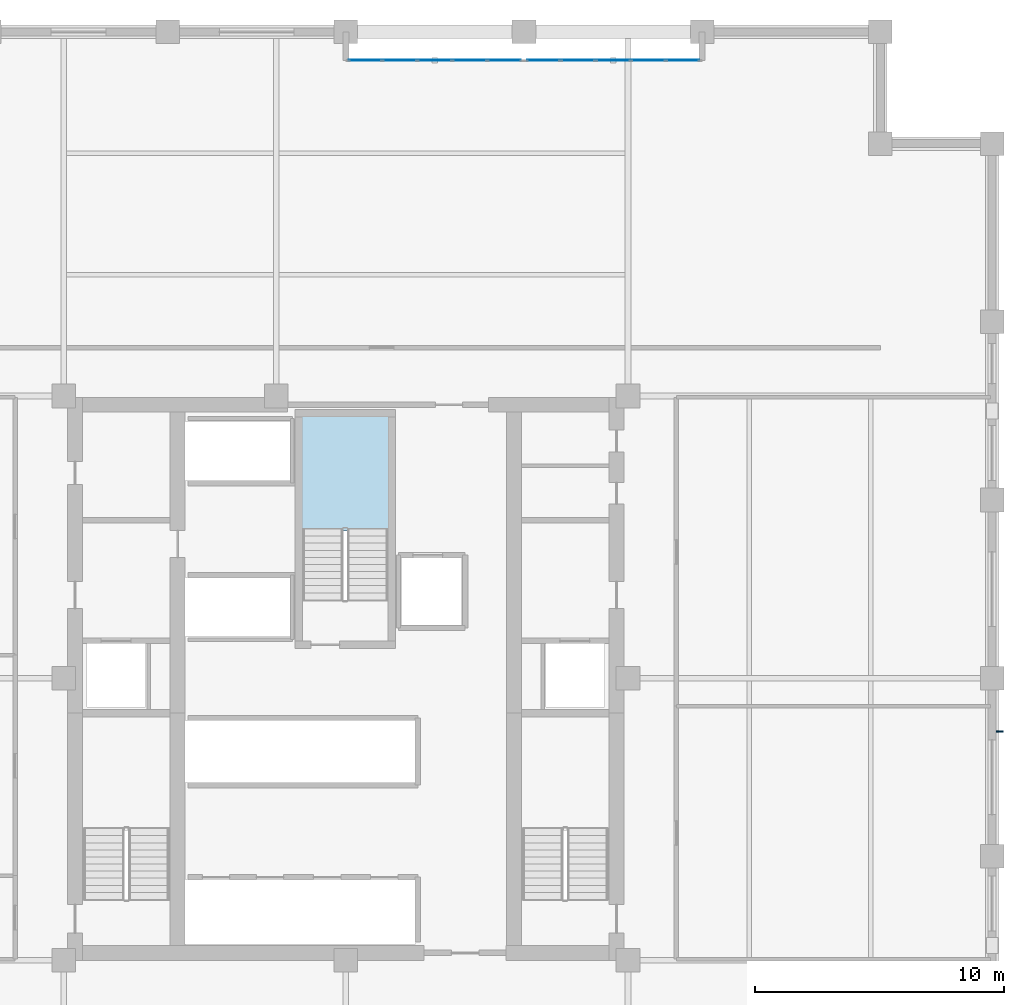
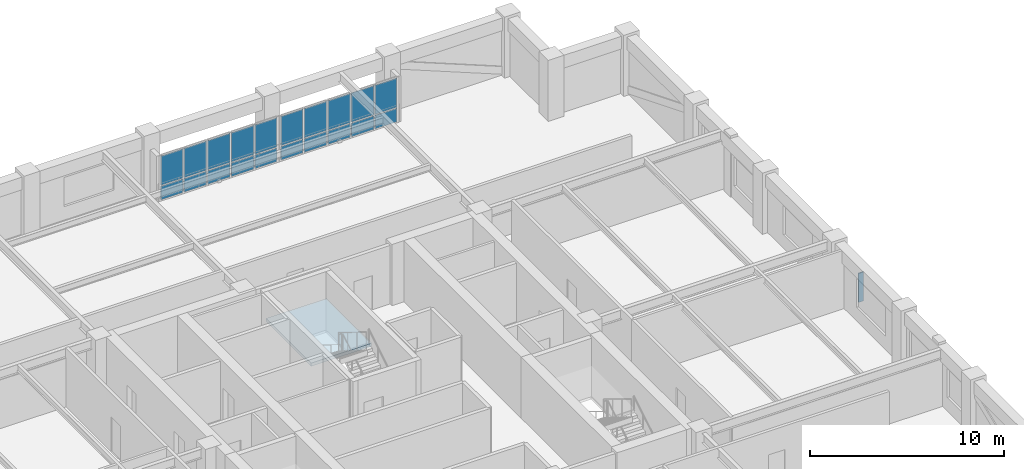
# One storey, part 5 of 11: 21 plates, 1 slab, 3 elements without a shape of their own.
"""IFC4 building model written with IfcOpenShell, lengths in metres."""

import ifcopenshell
import ifcopenshell.guid

model = None  # the IFC model being written
_history = None  # IfcOwnerHistory: only IFC2X3 demands one
_inside = {}  # id of a spatial element -> (the spatial element, [elements in it])
_under = {}  # id of a project, library or spatial element -> (it, [spatial elements below it])
_declared = {}  # id of a project -> (the project, [libraries it declares])
_typed = {}  # id of a type object -> (the type object, [elements of that type])
_made_of = {}  # id of a material, layer set ... -> (it, [elements and type objects made of it])


def new_model(schema):
    """Start an empty IFC model of exactly this schema.

    Asked for "IFC4X3", IfcOpenShell would pick the latest addendum, in which some entities
    have other attributes; the version numbers below select the first issue.
    IFC2X3 requires an IfcOwnerHistory on every rooted entity: one is made here for all.
    """
    global model, _history
    if schema == "IFC4X3":
        model = ifcopenshell.file(schema_version=(4, 3, 0, 0))
    else:
        model = ifcopenshell.file(schema=schema)
    _inside.clear()
    _under.clear()
    _declared.clear()
    _typed.clear()
    _made_of.clear()
    _history = None
    if model.schema == "IFC2X3":
        org = make("IfcOrganization", Name="unknown")
        user = make(
            "IfcPersonAndOrganization",
            ThePerson=make("IfcPerson", FamilyName="unknown"),
            TheOrganization=org,
        )
        app = make(
            "IfcApplication",
            ApplicationDeveloper=org,
            Version="unknown",
            ApplicationFullName="unknown",
            ApplicationIdentifier="unknown",
        )
        _history = make(
            "IfcOwnerHistory",
            OwningUser=user,
            OwningApplication=app,
            ChangeAction="ADDED",
            CreationDate=0,
        )
    return model


def make(cls, **values):
    """One entity of the class cls with the attributes given. An attribute that is None is left unset."""
    return model.create_entity(
        cls, **{name: value for name, value in values.items() if value is not None}
    )


def rooted(cls, **values):
    """An entity with a GlobalId (a new one), such as an element, a storey or a relation."""
    return make(cls, GlobalId=ifcopenshell.guid.new(), OwnerHistory=_history, **values)


def si_unit(unit_type, name, prefix=None):
    """IfcSIUnit, for example si_unit("LENGTHUNIT", "METRE", prefix="MILLI")."""
    return make("IfcSIUnit", UnitType=unit_type, Prefix=prefix, Name=name)


def assignment(units):
    """IfcUnitAssignment: the units of a project."""
    return None if units is None else make("IfcUnitAssignment", Units=units)


def point(xyz):
    """IfcCartesianPoint."""
    return None if xyz is None else make("IfcCartesianPoint", Coordinates=xyz)


def direction(xyz):
    """IfcDirection."""
    return None if xyz is None else make("IfcDirection", DirectionRatios=xyz)


def frame(location, z_axis=None, x_axis=None):
    """IfcAxis2Placement3D, a coordinate frame: its origin and axes. An axis left out is left unset."""
    return make(
        "IfcAxis2Placement3D",
        Location=point(location),
        Axis=direction(z_axis),
        RefDirection=direction(x_axis),
    )


def frame_2d(location, x_axis=None):
    """IfcAxis2Placement2D, a coordinate frame in the plane: its origin and x axis."""
    return make(
        "IfcAxis2Placement2D", Location=point(location), RefDirection=direction(x_axis)
    )


def origin():
    """The frame at (0, 0, 0) with its axes left unset."""
    return frame((0.0, 0.0, 0.0))


def origin_2d():
    """The frame at (0, 0) in the plane with its x axis left unset."""
    return frame_2d((0.0, 0.0))


def place(relative_to, where):
    """IfcLocalPlacement: puts the frame where relative to a parent placement (None: the world)."""
    return make(
        "IfcLocalPlacement", PlacementRelTo=relative_to, RelativePlacement=where
    )


def context(
    kind, dimensions, precision=None, world=None, true_north=None, identifier=None
):
    """IfcGeometricRepresentationContext, for example the 3D "Model" context."""
    return make(
        "IfcGeometricRepresentationContext",
        ContextIdentifier=identifier,
        ContextType=kind,
        CoordinateSpaceDimension=dimensions,
        Precision=precision,
        WorldCoordinateSystem=world,
        TrueNorth=true_north,
    )


def subcontext(parent, identifier, kind, view, scale=None):
    """IfcGeometricRepresentationSubContext, for example "Body" below "Model"."""
    return make(
        "IfcGeometricRepresentationSubContext",
        ContextIdentifier=identifier,
        ContextType=kind,
        ParentContext=parent,
        TargetScale=scale,
        TargetView=view,
    )


def project(units=None, contexts=None):
    """IfcProject with its units and contexts."""
    return rooted(
        "IfcProject",
        Name="project",
        RepresentationContexts=contexts,
        UnitsInContext=assignment(units),
    )


def spatial(cls, under=None, at=None, **own):
    """A site, building, storey or space (cls), placed at a placement, below another one or the project."""
    s = rooted(cls, ObjectPlacement=at, **own)
    if under is not None:
        _under.setdefault(under.id(), (under, []))[1].append(s)
    return s


def polyline(points):
    """IfcPolyline through the points."""
    return make("IfcPolyline", Points=[point(p) for p in points])


def profile(cls, at=None, kind="AREA", **sizes):
    """A parametric profile (cls). Its sizes go by their IFC names, for example OverallWidth=200.0."""
    return make(cls, ProfileType=kind, Position=at, **sizes)


def rectangle(**sizes):
    """IfcRectangleProfileDef."""
    return profile("IfcRectangleProfileDef", **sizes)


def outline(outer, holes=None, kind="AREA"):
    """IfcArbitraryClosedProfileDef: a profile drawn as a closed curve; with holes, ...WithVoids."""
    if holes is None:
        return make("IfcArbitraryClosedProfileDef", ProfileType=kind, OuterCurve=outer)
    return make(
        "IfcArbitraryProfileDefWithVoids",
        ProfileType=kind,
        OuterCurve=outer,
        InnerCurves=holes,
    )


def extrude(swept, where, along, depth):
    """IfcExtrudedAreaSolid: the profile swept, set in the frame where, extruded along a direction by depth."""
    return make(
        "IfcExtrudedAreaSolid",
        SweptArea=swept,
        Position=where,
        ExtrudedDirection=direction(along),
        Depth=depth,
    )


def shape(context_of_items, identifier, shape_type, items):
    """IfcShapeRepresentation: the items that make up one representation, for example the "Body"."""
    return make(
        "IfcShapeRepresentation",
        ContextOfItems=context_of_items,
        RepresentationIdentifier=identifier,
        RepresentationType=shape_type,
        Items=items,
    )


def material(Name=None, Category=None):
    """IfcMaterial."""
    return make("IfcMaterial", Name=Name, Category=Category)


def layer(
    of_material, thickness, ventilated=None, Name=None, Category=None, Priority=None
):
    """IfcMaterialLayer: one layer of a wall or slab, of a material (None: an air gap)."""
    return make(
        "IfcMaterialLayer",
        Material=of_material,
        LayerThickness=thickness,
        IsVentilated=ventilated,
        Name=Name,
        Category=Category,
        Priority=Priority,
    )


def layer_set(layers, Name=None):
    """IfcMaterialLayerSet."""
    return make("IfcMaterialLayerSet", MaterialLayers=layers, LayerSetName=Name)


def made_of(thing, what):
    """Note that an element or type object is made of a material, layer set ...; save() writes the relation."""
    if what is not None:
        _made_of.setdefault(what.id(), (what, []))[1].append(thing)
    return thing


def type_object(cls, material=None, **own):
    """A type object (cls), such as IfcWallType, which elements share."""
    return made_of(rooted(cls, **own), material)


def element(
    cls,
    number,
    at=None,
    inside=None,
    cuts=None,
    type_object=None,
    material=None,
    context=None,
    identifier="Body",
    shape_type=None,
    held_by="IfcProductDefinitionShape",
    body=None,
    shapes=None,
    **own,
):
    """One element of the class cls, such as IfcWall. Its Tag is "e" and its number.

    at: its placement. inside: the storey or other place that contains it. cuts: it is an
    opening in that element (IfcRelVoidsElement). A single representation is given by context,
    identifier, shape_type and body (its items); several are given by shapes. held_by: the class
    of the entity that holds the representations. save() writes the other relations.
    """
    e = rooted(cls, Tag="e%d" % number, ObjectPlacement=at, **own)
    if body is not None:
        shapes = [shape(context, identifier, shape_type, body)]
    if shapes is not None:
        e.Representation = make(held_by, Representations=shapes)
    if inside is not None:
        _inside.setdefault(inside.id(), (inside, []))[1].append(e)
    if cuts is not None:
        rooted(
            "IfcRelVoidsElement", RelatingBuildingElement=cuts, RelatedOpeningElement=e
        )
    if type_object is not None:
        _typed.setdefault(type_object.id(), (type_object, []))[1].append(e)
    return made_of(e, material)


def aggregate(whole, parts):
    """IfcRelAggregates: a whole, such as a stair, and the parts it consists of."""
    return rooted("IfcRelAggregates", RelatingObject=whole, RelatedObjects=parts)


def save(model, path):
    """Write the relations noted so far, then the file.

    IfcRelAggregates (storeys below a building ...), IfcRelContainedInSpatialStructure (elements
    in a storey), IfcRelDefinesByType, IfcRelAssociatesMaterial and IfcRelDeclares: one each for
    every whole, place, type object, material and project.
    """
    for whole, parts in _under.values():
        aggregate(whole, parts)
    for where, things in _inside.values():
        rooted(
            "IfcRelContainedInSpatialStructure",
            RelatedElements=things,
            RelatingStructure=where,
        )
    for kind, things in _typed.values():
        rooted("IfcRelDefinesByType", RelatedObjects=things, RelatingType=kind)
    for what, things in _made_of.values():
        rooted("IfcRelAssociatesMaterial", RelatedObjects=things, RelatingMaterial=what)
    for by, libraries in _declared.values():
        rooted("IfcRelDeclares", RelatingContext=by, RelatedDefinitions=libraries)
    model.write(path)


model = new_model("IFC4")

# Units and contexts
model_context = context("Model", 3, precision=1e-05, world=origin(), true_north=direction((0.0, 1.0)))
body_context = subcontext(model_context, "Body", "Model", "MODEL_VIEW")
ifc_project = project(units=[si_unit("LENGTHUNIT", "METRE"), si_unit("AREAUNIT", "SQUARE_METRE"), si_unit("VOLUMEUNIT", "CUBIC_METRE"), si_unit("PLANEANGLEUNIT", "RADIAN"), si_unit("MASSUNIT", "GRAM", prefix="KILO")], contexts=[model_context])

# Site, building, storey
site_placement = place(None, origin())
site = spatial("IfcSite", under=ifc_project, at=site_placement, CompositionType="ELEMENT")
building_placement = place(site_placement, origin())
building = spatial("IfcBuilding", under=site, at=building_placement, Name="Nhamokura Convention Tower", CompositionType="ELEMENT")
storey_placement = place(building_placement, frame((0.0, 0.0, 133.699951171875)))
storey = spatial("IfcBuildingStorey", under=building, at=storey_placement, Name="L32", CompositionType="ELEMENT", Elevation=133.699951171875)

# Plate
ifc_material_1 = material(Name="Anodised bronze aluminium AA6063-T6", Category="aluminium")
plate_type_1 = type_object("IfcPlateType", Name="BronzeSolarFin_2", PredefinedType="USERDEFINED", material=ifc_material_1)
plate_1_placement = place(storey_placement, frame((58.300048828125, 29.86669921875, 0.85009765625), z_axis=(0.0, 0.0, 1.0), x_axis=(1.0, 0.0, 0.0)))
element("IfcPlate", 1, at=plate_1_placement, inside=storey, type_object=plate_type_1, Name="L32 Bronze Solar Shading Fin EAST 2", ObjectType="SOLAR_FIN", PredefinedType="USERDEFINED", context=body_context, shape_type="SweptSolid", body=[
    extrude(rectangle(XDim=0.280029296875, YDim=0.06005859375, at=origin_2d()), origin(), (0.0, 0.0, 1.0), 1.8349609375),
])

# Curtain wall, plates
ifc_material_2 = material(Name="Anodised bronze aluminium AA6063-T6", Category="aluminium")
ifc_layer_1 = layer(ifc_material_2, 0.159912109375)
ifc_layer_set_1 = layer_set([ifc_layer_1], Name="CWSystem_ScaleSlot_Zone2")
curtain_wall_type = type_object("IfcCurtainWallType", Name="CWSystem_ScaleSlot_Zone2", PredefinedType="NOTDEFINED", material=ifc_layer_set_1)
curtain_wall_1_placement = place(storey_placement, origin())
curtain_wall_1 = element("IfcCurtainWall", 2, at=curtain_wall_1_placement, inside=storey, type_object=curtain_wall_type, Name="L32 Curtain Wall ENV-L32-SLOT-N3", PredefinedType="NOTDEFINED")
ifc_material_3 = material(Name="Solar-control bronze low-E double glass", Category="glass")
ifc_layer_2 = layer(ifc_material_3, 0.035888671875)
ifc_layer_set_2 = layer_set([ifc_layer_2], Name="CWGlazedPanel_2")
plate_type_2 = type_object("IfcPlateType", Name="CWGlazedPanel_2", PredefinedType="CURTAIN_PANEL", material=ifc_layer_set_2)
plate_2_placement = place(storey_placement, frame((32.781005859375, 56.85009765625, 0.06494140625), z_axis=(0.0, 0.0, 1.0), x_axis=(1.0, 0.0, 0.0)))
plate_2 = element("IfcPlate", 3, at=plate_2_placement, type_object=plate_type_2, Name="CW-04 panel 1.1", PredefinedType="CURTAIN_PANEL", context=body_context, shape_type="SweptSolid", body=[
    extrude(rectangle(XDim=1.311767578125, YDim=0.035888671875, at=origin_2d()), origin(), (0.0, 0.0, 1.0), 0.8525390625),
])
plate_3_placement = place(storey_placement, frame((32.781005859375, 56.85009765625, 0.982666015625), z_axis=(0.0, 0.0, 1.0), x_axis=(1.0, 0.0, 0.0)))
plate_3 = element("IfcPlate", 4, at=plate_3_placement, type_object=plate_type_2, Name="CW-04 panel 1.2", PredefinedType="CURTAIN_PANEL", context=body_context, shape_type="SweptSolid", body=[
    extrude(rectangle(XDim=1.311767578125, YDim=0.035888671875, at=origin_2d()), origin(), (0.0, 0.0, 1.0), 1.83740234375),
])
plate_4_placement = place(storey_placement, frame((34.174072265625, 56.85009765625, 0.06494140625), z_axis=(0.0, 0.0, 1.0), x_axis=(1.0, 0.0, 0.0)))
plate_4 = element("IfcPlate", 5, at=plate_4_placement, type_object=plate_type_2, Name="CW-04 panel 2.1", PredefinedType="CURTAIN_PANEL", context=body_context, shape_type="SweptSolid", body=[
    extrude(rectangle(XDim=1.34423828125, YDim=0.035888671875, at=origin_2d()), origin(), (0.0, 0.0, 1.0), 0.8525390625),
])
plate_5_placement = place(storey_placement, frame((34.174072265625, 56.85009765625, 0.982666015625), z_axis=(0.0, 0.0, 1.0), x_axis=(1.0, 0.0, 0.0)))
plate_5 = element("IfcPlate", 6, at=plate_5_placement, type_object=plate_type_2, Name="CW-04 panel 2.2", PredefinedType="CURTAIN_PANEL", context=body_context, shape_type="SweptSolid", body=[
    extrude(rectangle(XDim=1.34423828125, YDim=0.035888671875, at=origin_2d()), origin(), (0.0, 0.0, 1.0), 1.83740234375),
])
plate_6_placement = place(storey_placement, frame((35.583251953125, 56.85009765625, 0.06494140625), z_axis=(0.0, 0.0, 1.0), x_axis=(1.0, 0.0, 0.0)))
plate_6 = element("IfcPlate", 7, at=plate_6_placement, type_object=plate_type_2, Name="CW-04 panel 3.1", PredefinedType="CURTAIN_PANEL", context=body_context, shape_type="SweptSolid", body=[
    extrude(rectangle(XDim=1.34423828125, YDim=0.035888671875, at=origin_2d()), origin(), (0.0, 0.0, 1.0), 0.8525390625),
])
plate_7_placement = place(storey_placement, frame((35.583251953125, 56.85009765625, 0.982666015625), z_axis=(0.0, 0.0, 1.0), x_axis=(1.0, 0.0, 0.0)))
plate_7 = element("IfcPlate", 8, at=plate_7_placement, type_object=plate_type_2, Name="CW-04 panel 3.2", PredefinedType="CURTAIN_PANEL", context=body_context, shape_type="SweptSolid", body=[
    extrude(rectangle(XDim=1.34423828125, YDim=0.035888671875, at=origin_2d()), origin(), (0.0, 0.0, 1.0), 1.83740234375),
])
plate_8_placement = place(storey_placement, frame((36.99267578125, 56.85009765625, 0.06494140625), z_axis=(0.0, 0.0, 1.0), x_axis=(1.0, 0.0, 0.0)))
plate_8 = element("IfcPlate", 9, at=plate_8_placement, type_object=plate_type_2, Name="CW-04 panel 4.1", PredefinedType="CURTAIN_PANEL", context=body_context, shape_type="SweptSolid", body=[
    extrude(rectangle(XDim=1.34423828125, YDim=0.035888671875, at=origin_2d()), origin(), (0.0, 0.0, 1.0), 0.8525390625),
])
plate_9_placement = place(storey_placement, frame((36.99267578125, 56.85009765625, 0.982666015625), z_axis=(0.0, 0.0, 1.0), x_axis=(1.0, 0.0, 0.0)))
plate_9 = element("IfcPlate", 10, at=plate_9_placement, type_object=plate_type_2, Name="CW-04 panel 4.2", PredefinedType="CURTAIN_PANEL", context=body_context, shape_type="SweptSolid", body=[
    extrude(rectangle(XDim=1.34423828125, YDim=0.035888671875, at=origin_2d()), origin(), (0.0, 0.0, 1.0), 1.83740234375),
])
plate_10_placement = place(storey_placement, frame((38.3857421875, 56.85009765625, 0.06494140625), z_axis=(0.0, 0.0, 1.0), x_axis=(1.0, 0.0, 0.0)))
plate_10 = element("IfcPlate", 11, at=plate_10_placement, type_object=plate_type_2, Name="CW-04 panel 5.1", PredefinedType="CURTAIN_PANEL", context=body_context, shape_type="SweptSolid", body=[
    extrude(rectangle(XDim=1.311767578125, YDim=0.035888671875, at=origin_2d()), origin(), (0.0, 0.0, 1.0), 0.8525390625),
])
plate_11_placement = place(storey_placement, frame((38.3857421875, 56.85009765625, 0.982666015625), z_axis=(0.0, 0.0, 1.0), x_axis=(1.0, 0.0, 0.0)))
plate_11 = element("IfcPlate", 12, at=plate_11_placement, type_object=plate_type_2, Name="CW-04 panel 5.2", PredefinedType="CURTAIN_PANEL", context=body_context, shape_type="SweptSolid", body=[
    extrude(rectangle(XDim=1.311767578125, YDim=0.035888671875, at=origin_2d()), origin(), (0.0, 0.0, 1.0), 1.83740234375),
])
aggregate(curtain_wall_1, [plate_2, plate_3, plate_4, plate_5, plate_6, plate_7, plate_8, plate_9, plate_10, plate_11])

curtain_wall_2_placement = place(storey_placement, origin())
curtain_wall_2 = element("IfcCurtainWall", 13, at=curtain_wall_2_placement, inside=storey, type_object=curtain_wall_type, Name="L32 Curtain Wall ENV-L32-SLOT-N4", PredefinedType="NOTDEFINED")
plate_12_placement = place(storey_placement, frame((39.947509765625, 56.85009765625, 0.06494140625), z_axis=(0.0, 0.0, 1.0), x_axis=(1.0, 0.0, 0.0)))
plate_12 = element("IfcPlate", 14, at=plate_12_placement, type_object=plate_type_2, Name="CW-04 panel 1.1", PredefinedType="CURTAIN_PANEL", context=body_context, shape_type="SweptSolid", body=[
    extrude(rectangle(XDim=1.311767578125, YDim=0.035888671875, at=origin_2d()), origin(), (0.0, 0.0, 1.0), 0.8525390625),
])
plate_13_placement = place(storey_placement, frame((39.947509765625, 56.85009765625, 0.982666015625), z_axis=(0.0, 0.0, 1.0), x_axis=(1.0, 0.0, 0.0)))
plate_13 = element("IfcPlate", 15, at=plate_13_placement, type_object=plate_type_2, Name="CW-04 panel 1.2", PredefinedType="CURTAIN_PANEL", context=body_context, shape_type="SweptSolid", body=[
    extrude(rectangle(XDim=1.311767578125, YDim=0.035888671875, at=origin_2d()), origin(), (0.0, 0.0, 1.0), 1.83740234375),
])
plate_14_placement = place(storey_placement, frame((41.340576171875, 56.85009765625, 0.06494140625), z_axis=(0.0, 0.0, 1.0), x_axis=(1.0, 0.0, 0.0)))
plate_14 = element("IfcPlate", 16, at=plate_14_placement, type_object=plate_type_2, Name="CW-04 panel 2.1", PredefinedType="CURTAIN_PANEL", context=body_context, shape_type="SweptSolid", body=[
    extrude(rectangle(XDim=1.34423828125, YDim=0.035888671875, at=origin_2d()), origin(), (0.0, 0.0, 1.0), 0.8525390625),
])
plate_15_placement = place(storey_placement, frame((41.340576171875, 56.85009765625, 0.982666015625), z_axis=(0.0, 0.0, 1.0), x_axis=(1.0, 0.0, 0.0)))
plate_15 = element("IfcPlate", 17, at=plate_15_placement, type_object=plate_type_2, Name="CW-04 panel 2.2", PredefinedType="CURTAIN_PANEL", context=body_context, shape_type="SweptSolid", body=[
    extrude(rectangle(XDim=1.34423828125, YDim=0.035888671875, at=origin_2d()), origin(), (0.0, 0.0, 1.0), 1.83740234375),
])
plate_16_placement = place(storey_placement, frame((42.75, 56.85009765625, 0.06494140625), z_axis=(0.0, 0.0, 1.0), x_axis=(1.0, 0.0, 0.0)))
plate_16 = element("IfcPlate", 18, at=plate_16_placement, type_object=plate_type_2, Name="CW-04 panel 3.1", PredefinedType="CURTAIN_PANEL", context=body_context, shape_type="SweptSolid", body=[
    extrude(rectangle(XDim=1.34423828125, YDim=0.035888671875, at=origin_2d()), origin(), (0.0, 0.0, 1.0), 0.8525390625),
])
plate_17_placement = place(storey_placement, frame((42.75, 56.85009765625, 0.982666015625), z_axis=(0.0, 0.0, 1.0), x_axis=(1.0, 0.0, 0.0)))
plate_17 = element("IfcPlate", 19, at=plate_17_placement, type_object=plate_type_2, Name="CW-04 panel 3.2", PredefinedType="CURTAIN_PANEL", context=body_context, shape_type="SweptSolid", body=[
    extrude(rectangle(XDim=1.34423828125, YDim=0.035888671875, at=origin_2d()), origin(), (0.0, 0.0, 1.0), 1.83740234375),
])
plate_18_placement = place(storey_placement, frame((44.159423828125, 56.85009765625, 0.06494140625), z_axis=(0.0, 0.0, 1.0), x_axis=(1.0, 0.0, 0.0)))
plate_18 = element("IfcPlate", 20, at=plate_18_placement, type_object=plate_type_2, Name="CW-04 panel 4.1", PredefinedType="CURTAIN_PANEL", context=body_context, shape_type="SweptSolid", body=[
    extrude(rectangle(XDim=1.34423828125, YDim=0.035888671875, at=origin_2d()), origin(), (0.0, 0.0, 1.0), 0.8525390625),
])
plate_19_placement = place(storey_placement, frame((44.159423828125, 56.85009765625, 0.982666015625), z_axis=(0.0, 0.0, 1.0), x_axis=(1.0, 0.0, 0.0)))
plate_19 = element("IfcPlate", 21, at=plate_19_placement, type_object=plate_type_2, Name="CW-04 panel 4.2", PredefinedType="CURTAIN_PANEL", context=body_context, shape_type="SweptSolid", body=[
    extrude(rectangle(XDim=1.34423828125, YDim=0.035888671875, at=origin_2d()), origin(), (0.0, 0.0, 1.0), 1.83740234375),
])
plate_20_placement = place(storey_placement, frame((45.552490234375, 56.85009765625, 0.06494140625), z_axis=(0.0, 0.0, 1.0), x_axis=(1.0, 0.0, 0.0)))
plate_20 = element("IfcPlate", 22, at=plate_20_placement, type_object=plate_type_2, Name="CW-04 panel 5.1", PredefinedType="CURTAIN_PANEL", context=body_context, shape_type="SweptSolid", body=[
    extrude(rectangle(XDim=1.311767578125, YDim=0.035888671875, at=origin_2d()), origin(), (0.0, 0.0, 1.0), 0.8525390625),
])
plate_21_placement = place(storey_placement, frame((45.552490234375, 56.85009765625, 0.982666015625), z_axis=(0.0, 0.0, 1.0), x_axis=(1.0, 0.0, 0.0)))
plate_21 = element("IfcPlate", 23, at=plate_21_placement, type_object=plate_type_2, Name="CW-04 panel 5.2", PredefinedType="CURTAIN_PANEL", context=body_context, shape_type="SweptSolid", body=[
    extrude(rectangle(XDim=1.311767578125, YDim=0.035888671875, at=origin_2d()), origin(), (0.0, 0.0, 1.0), 1.83740234375),
])
aggregate(curtain_wall_2, [plate_12, plate_13, plate_14, plate_15, plate_16, plate_17, plate_18, plate_19, plate_20, plate_21])

# Stair, slab
ifc_material_4 = material(Name="Concrete C40/50", Category="concrete")
stair_type = type_object("IfcStairType", Name="TowerCoreStair_1650", PredefinedType="HALF_TURN_STAIR", material=ifc_material_4)
stair_placement = place(storey_placement, origin())
stair = element("IfcStair", 24, at=stair_placement, inside=storey, type_object=stair_type, Name="L32 North Core Smokeproof Stair ST-03", PredefinedType="HALF_TURN_STAIR")
ifc_material_5 = material(Name="Concrete C40/50", Category="concrete")
ifc_layer_3 = layer(ifc_material_5, 0.199951171875)
ifc_layer_set_3 = layer_set([ifc_layer_3], Name="StairLandingSlab_200")
slab_type = type_object("IfcSlabType", Name="StairLandingSlab_200", PredefinedType="LANDING", material=ifc_layer_set_3)
slab_placement = place(storey_placement, frame((0.0, 0.0, 1.72509765625)))
slab = element("IfcSlab", 25, at=slab_placement, type_object=slab_type, Name="ST-03 landing 1", PredefinedType="LANDING", context=body_context, shape_type="SweptSolid", body=[
    extrude(outline(polyline([(33.780029296875, 37.919921875), (33.780029296875, 42.580078125), (30.169921875, 42.580078125), (30.169921875, 37.919921875), (33.780029296875, 37.919921875)])), origin(), (0.0, 0.0, 1.0), 0.199951171875),
])
aggregate(stair, [slab])

save(model, "model.ifc")
